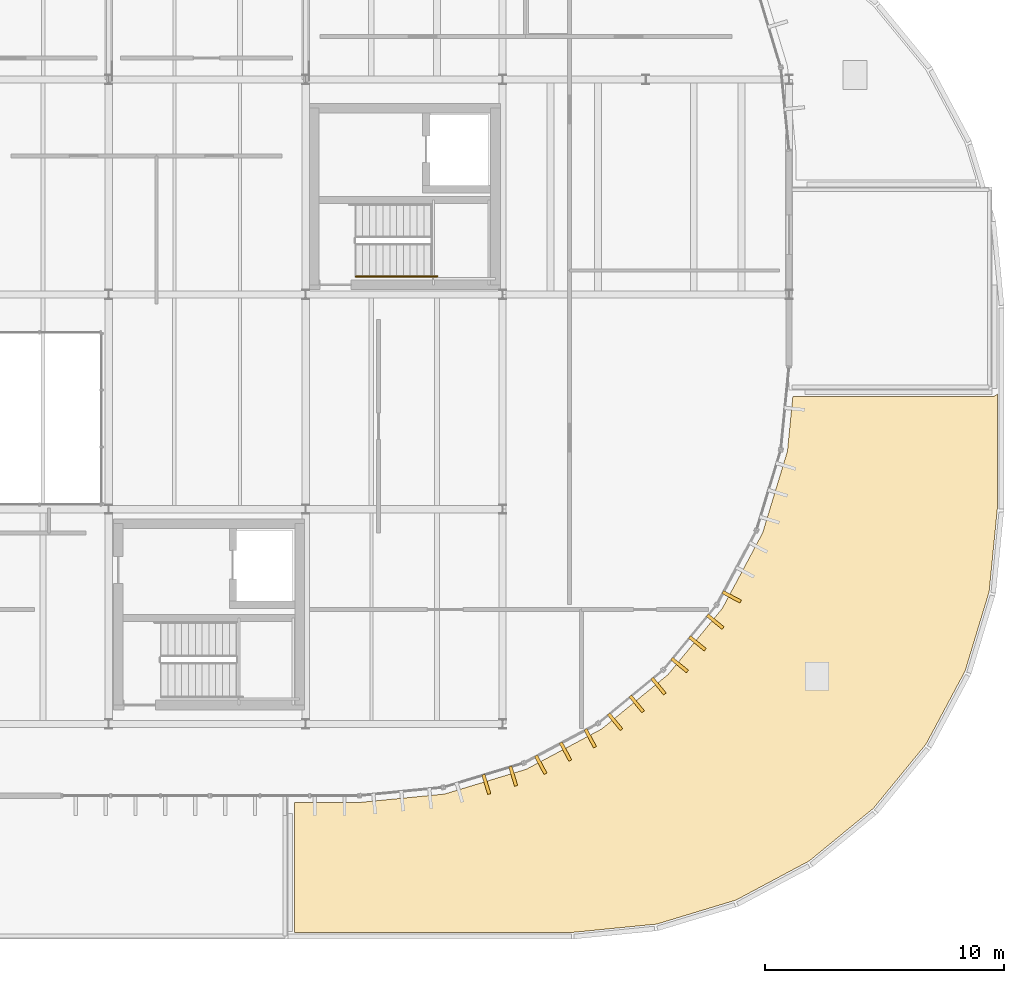
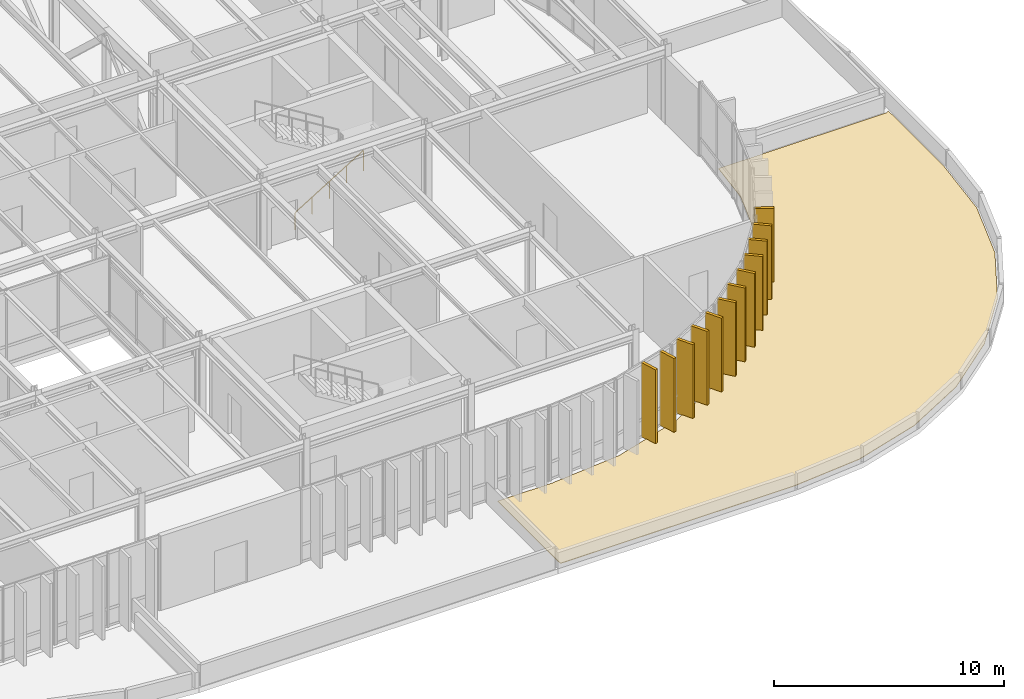
# One storey, part 27 of 29: 13 coverings, 1 railing.
"""IFC4 building model written with IfcOpenShell, lengths in metres."""

from ifc_helpers import new_model, si_unit, direction, frame, origin, origin_2d, place, context, subcontext, project, spatial, polyline, rectangle, circle, outline, extrude, material, layer, layer_set, type_object, element, save


model = new_model("IFC4")

# Units and contexts
model_context = context("Model", 3, precision=1e-05, world=origin(), true_north=direction((0.0, 1.0)))
body_context = subcontext(model_context, "Body", "Model", "MODEL_VIEW")
ifc_project = project(units=[si_unit("LENGTHUNIT", "METRE"), si_unit("AREAUNIT", "SQUARE_METRE"), si_unit("VOLUMEUNIT", "CUBIC_METRE"), si_unit("PLANEANGLEUNIT", "RADIAN"), si_unit("MASSUNIT", "GRAM", prefix="KILO")], contexts=[model_context])

# Site, building, storey
site_placement = place(None, origin())
site = spatial("IfcSite", under=ifc_project, at=site_placement, CompositionType="ELEMENT")
building_placement = place(site_placement, origin())
building = spatial("IfcBuilding", under=site, at=building_placement, Name="Montealbar Specialist Clinic", CompositionType="ELEMENT")
storey_placement = place(building_placement, frame((0.0, 0.0, 22.199951171875)))
storey = spatial("IfcBuildingStorey", under=building, at=storey_placement, Name="L05", CompositionType="ELEMENT", Elevation=22.199951171875)

# Coverings
ifc_material_1 = material(Name="Thermally modified timber cladding", Category="wood")
ifc_layer_1 = layer(ifc_material_1, 0.139892578125, Name="Thermally modified timber cladding", Category="wood")
ifc_layer_set_1 = layer_set([ifc_layer_1], Name="Thermally modified timber cladding")
covering_type_1 = type_object("IfcCoveringType", Name="COV-FIN-TIMBER-850", PredefinedType="CLADDING", material=ifc_layer_set_1)
for number, where, z_axis, x_axis, name in (
    (1, (108.595947265625, 14.330078125, 0.0), (0.0, 0.0, 1.0), (0.881850411644, -0.471529268958, 0.0), "Vertical Timber Solar Fin CF-L05-0429"),
    (2, (107.902099609375, 13.2919921875, 0.0), (0.0, 0.0, 1.0), (0.773123255923, -0.634255808922, 0.0), "Vertical Timber Solar Fin CF-L05-0430"),
    (3, (107.156005859375, 12.382080078125, 0.0), (0.0, 0.0, 1.0), (0.773123255923, -0.634255808922, 0.0), "Vertical Timber Solar Fin CF-L05-0431"),
    (4, (106.409912109375, 11.472900390625, 0.0), (0.0, 0.0, 1.0), (0.773123255923, -0.634255808922, 0.0), "Vertical Timber Solar Fin CF-L05-0432"),
    (5, (105.527099609375, 10.590087890625, 0.0), (0.0, 0.0, 1.0), (0.634255808922, -0.773123255923, 0.0), "Vertical Timber Solar Fin CF-L05-0433"),
    (6, (104.617919921875, 9.843994140625, 0.0), (0.0, 0.0, 1.0), (0.634255808922, -0.773123255923, 0.0), "Vertical Timber Solar Fin CF-L05-0434"),
    (7, (103.7080078125, 9.097900390625, 0.0), (0.0, 0.0, 1.0), (0.634255808922, -0.773123255923, 0.0), "Vertical Timber Solar Fin CF-L05-0435"),
    (8, (102.669921875, 8.404052734375, 0.0), (0.0, 0.0, 1.0), (0.471529268958, -0.881850411644, 0.0), "Vertical Timber Solar Fin CF-L05-0436"),
    (9, (101.633056640625, 7.84912109375, 0.0), (0.0, 0.0, 1.0), (0.471529268958, -0.881850411644, 0.0), "Vertical Timber Solar Fin CF-L05-0437"),
    (10, (100.594970703125, 7.294921875, 0.0), (0.0, 0.0, 1.0), (0.471529268958, -0.881850411644, 0.0), "Vertical Timber Solar Fin CF-L05-0438"),
    (11, (99.44091796875, 6.81689453125, 0.0), (0.0, 0.0, 1.0), (0.290259134399, -0.956948083701, 0.0), "Vertical Timber Solar Fin CF-L05-0439"),
    (12, (98.31591796875, 6.47509765625, 0.0), (0.0, 0.0, 1.0), (0.290259134399, -0.956948083701, 0.0), "Vertical Timber Solar Fin CF-L05-0440"),
):
    element("IfcCovering", number, at=place(storey_placement, frame(where, z_axis=z_axis, x_axis=x_axis)), inside=storey, type_object=covering_type_1, Name=name, PredefinedType="CLADDING", context=body_context, shape_type="SweptSolid", body=[
        extrude(rectangle(XDim=0.85009765625, YDim=0.139892578125, at=origin_2d()), origin(), (0.0, 0.0, 1.0), 3.93994140625),
    ])
ifc_material_2 = material(Name="Weatherproof roofing membrane", Category="concrete")
ifc_layer_2 = layer(ifc_material_2, 0.030029296875, Name="Weatherproof roofing membrane", Category="concrete")
ifc_layer_set_2 = layer_set([ifc_layer_2], Name="Weatherproof roofing membrane")
covering_type_2 = type_object("IfcCoveringType", Name="COV-ROOF-MEMB", PredefinedType="ROOFING", material=ifc_layer_set_2)
covering_placement = place(storey_placement, origin())
element("IfcCovering", 13, at=covering_placement, inside=storey, type_object=covering_type_2, Name="Weatherproof Roof Membrane ROOF-L05-01", PredefinedType="ROOFING", context=body_context, shape_type="SweptSolid", body=[
    extrude(outline(polyline([(111.155029296875, 22.719970703125), (119.5, 22.719970703125), (119.527099609375, 22.720947265625), (119.554931640625, 22.72509765625), (119.5810546875, 22.73193359375), (119.60693359375, 22.740966796875), (119.632080078125, 22.7529296875), (119.656005859375, 22.76708984375), (119.677978515625, 22.783935546875), (119.697998046875, 22.802001953125), (119.716064453125, 22.822021484375), (119.719970703125, 22.826904296875), (119.719970703125, 18.013916015625), (119.3779296875, 14.54296875), (118.3701171875, 11.219970703125), (116.73193359375, 8.156005859375), (114.529052734375, 5.470947265625), (111.843994140625, 3.26806640625), (108.780029296875, 1.6298828125), (105.45703125, 0.6220703125), (101.986083984375, 0.280029296875), (90.280029296875, 0.280029296875), (90.280029296875, 5.719970703125), (93.0, 5.719970703125), (93.027099609375, 5.720947265625), (96.5390625, 6.06689453125), (96.56689453125, 6.071044921875), (96.593017578125, 6.077880859375), (99.968994140625, 7.10205078125), (99.9951171875, 7.111083984375), (100.02001953125, 7.123046875), (103.132080078125, 8.787109375), (103.156005859375, 8.801025390625), (103.177978515625, 8.818115234375), (105.906005859375, 11.055908203125), (105.926025390625, 11.073974609375), (105.944091796875, 11.093994140625), (108.181884765625, 13.822021484375), (108.198974609375, 13.843994140625), (108.212890625, 13.867919921875), (109.876953125, 16.97998046875), (109.888916015625, 17.0048828125), (109.89794921875, 17.031005859375), (110.922119140625, 20.406982421875), (110.928955078125, 20.43310546875), (110.93310546875, 20.4609375), (111.155029296875, 22.719970703125)])), origin(), (0.0, 0.0, 1.0), 0.030029296875),
])

# Railing
ifc_material_3 = material(Name="Steel S355", Category="steel")
ifc_layer_3 = layer(ifc_material_3, 0.044921875, Name="Steel S355", Category="steel")
ifc_layer_set_3 = layer_set([ifc_layer_3], Name="Steel S355")
railing_type = type_object("IfcRailingType", Name="RAIL-STAIR-HR-900", PredefinedType="HANDRAIL", material=ifc_layer_set_3)
railing_placement = place(storey_placement, frame((92.85009765625, 27.75, 0.175048828125)))
element("IfcRailing", 14, at=railing_placement, inside=storey, type_object=railing_type, Name="L05 ST-05 stair handrail 1", PredefinedType="HANDRAIL", context=body_context, shape_type="SweptSolid", body=[
    extrude(circle(Radius=0.02392578125, at=origin_2d()), frame((0.0, 0.0, 0.8759765625), z_axis=(0.852155044755, 0.0, 0.523289384279), x_axis=(0.0, 1.0, 0.0)), (0.0, 0.0, 1.0), 4.01318359375),
    extrude(circle(Radius=0.02099609375, at=origin_2d()), frame((0.0, 0.0, -0.02490234375)), (0.0, 0.0, 1.0), 0.876708984375),
    extrude(circle(Radius=0.02099609375, at=origin_2d()), frame((0.85498046875, 0.0, 0.5)), (0.0, 0.0, 1.0), 0.876708984375),
    extrude(circle(Radius=0.02099609375, at=origin_2d()), frame((1.7099609375, 0.0, 1.025146484375)), (0.0, 0.0, 1.0), 0.876708984375),
    extrude(circle(Radius=0.02099609375, at=origin_2d()), frame((2.56494140625, 0.0, 1.550048828125)), (0.0, 0.0, 1.0), 0.876708984375),
    extrude(circle(Radius=0.02099609375, at=origin_2d()), frame((3.419921875, 0.0, 1.900146484375)), (0.0, 0.0, 1.0), 1.0517578125),
])

save(model, "model.ifc")
